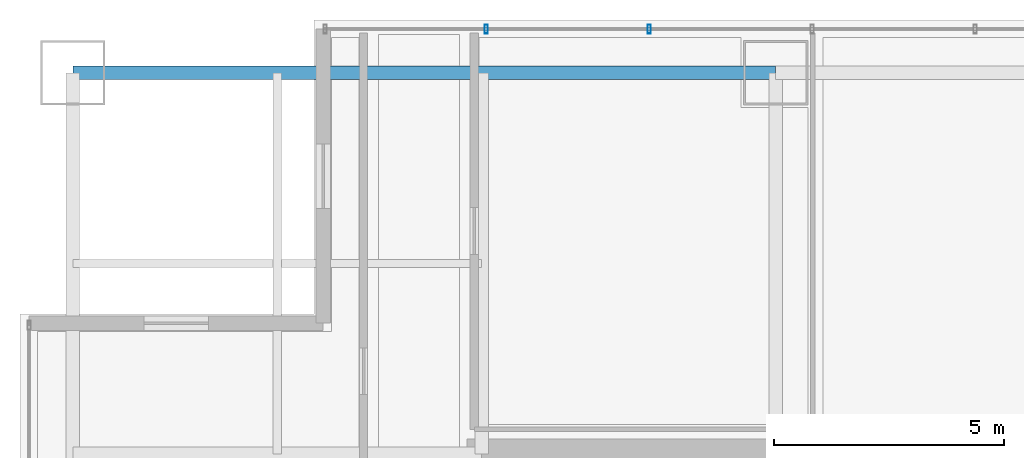
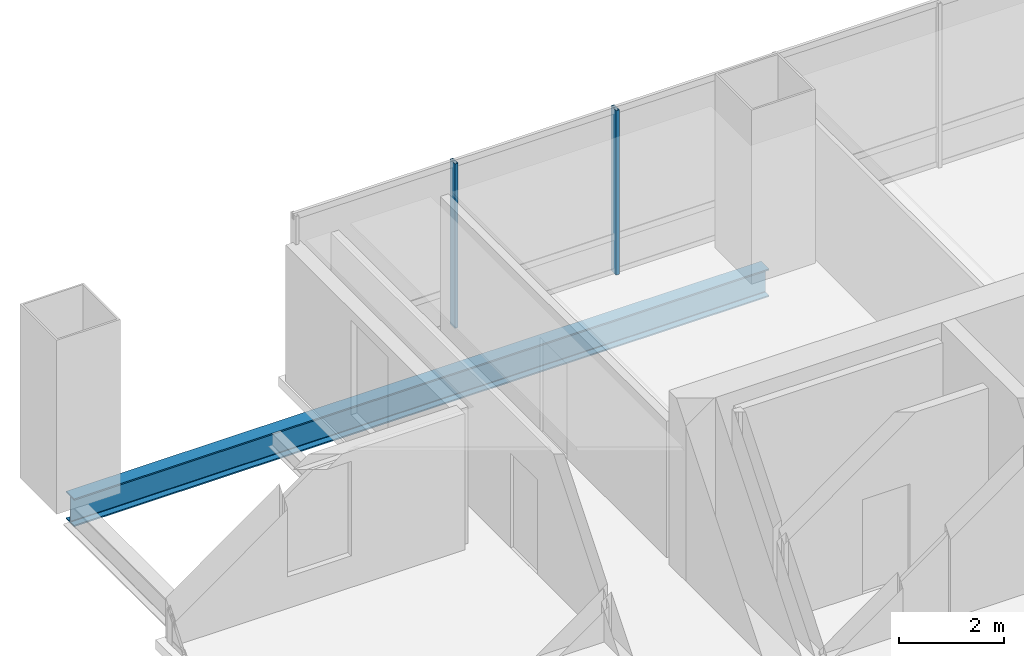
# One storey, part 22 of 37: 2 members, 1 beam, 1 element without a shape of its own.
"""IFC4 building model written with IfcOpenShell, lengths in metres."""

from ifc_helpers import new_model, si_unit, direction, frame, origin, origin_2d, place, context, subcontext, project, spatial, hollow_rectangle, i_section, extrude, material, material_profile, profile_set, type_object, element, aggregate, save


model = new_model("IFC4")

# Units and contexts
model_context = context("Model", 3, precision=1e-05, world=origin(), true_north=direction((0.0, 1.0)))
body_context = subcontext(model_context, "Body", "Model", "MODEL_VIEW")
ifc_project = project(units=[si_unit("LENGTHUNIT", "METRE"), si_unit("AREAUNIT", "SQUARE_METRE"), si_unit("VOLUMEUNIT", "CUBIC_METRE"), si_unit("PLANEANGLEUNIT", "RADIAN"), si_unit("MASSUNIT", "GRAM", prefix="KILO")], contexts=[model_context])

# Site, building, storey
site_placement = place(None, origin())
site = spatial("IfcSite", under=ifc_project, at=site_placement, CompositionType="ELEMENT")
building_placement = place(site_placement, origin())
building = spatial("IfcBuilding", under=site, at=building_placement, Name="Punatoya Terracotta Tower", CompositionType="ELEMENT")
storey_placement = place(building_placement, frame((0.0, 0.0, 224.85009765625)))
storey = spatial("IfcBuildingStorey", under=building, at=storey_placement, Name="L53", CompositionType="ELEMENT", Elevation=224.85009765625)

# Beam
ifc_material_1 = material(Name="Steel S355", Category="steel")
ifc_material_profile_1 = material_profile(ifc_material_1, i_section(OverallWidth=0.300048828125, OverallDepth=0.64990234375, WebThickness=0.01611328125, FlangeThickness=0.031005859375, FilletRadius=0.01806640625, at=origin_2d()))
ifc_profile_set_1 = profile_set([ifc_material_profile_1], Name="Steel S355")
beam_type = type_object("IfcBeamType", Name="BM-PRI-650", PredefinedType="BEAM", material=ifc_profile_set_1)
beam_placement = place(storey_placement, frame((-19.10009765625, 17.5, -0.545166015625), z_axis=(1.0, 0.0, 0.0), x_axis=(0.0, 1.0, 0.0)))
element("IfcBeam", 1, at=beam_placement, inside=storey, type_object=beam_type, Name="BM-L53-RG-N1", PredefinedType="BEAM", context=body_context, shape_type="SweptSolid", body=[
    extrude(i_section(OverallWidth=0.300048828125, OverallDepth=0.64990234375, WebThickness=0.01611328125, FlangeThickness=0.031005859375, FilletRadius=0.01806640625, at=origin_2d()), origin(), (0.0, 0.0, 1.0), 15.300048828125),
])

# Curtain wall, members
ifc_material_2 = material(Name="Aluminium 6063-T6 + Double Low-E Glass", Category="aluminium")
curtain_wall_type = type_object("IfcCurtainWallType", Name="CW-M2", PredefinedType="NOTDEFINED", material=ifc_material_2)
curtain_wall_placement = place(storey_placement, origin())
curtain_wall = element("IfcCurtainWall", 2, at=curtain_wall_placement, inside=storey, type_object=curtain_wall_type, Name="L53 Curtain Wall CW-L53-N08-1", PredefinedType="NOTDEFINED")
ifc_material_3 = material(Name="Aluminium 6063-T6", Category="aluminium")
ifc_material_profile_2 = material_profile(ifc_material_3, hollow_rectangle(XDim=0.072021484375, YDim=0.195068359375, WallThickness=0.00439453125, at=origin_2d()))
ifc_profile_set_2 = profile_set([ifc_material_profile_2], Name="Aluminium 6063-T6")
member_type = type_object("IfcMemberType", Name="CW-MUL-M2", PredefinedType="MULLION", material=ifc_profile_set_2)
member_1_placement = place(storey_placement, frame((-6.552490234375, 18.449951171875, 0.0), z_axis=(0.0, 0.0, 1.0), x_axis=(1.0, 0.0, 0.0)))
member_1 = element("IfcMember", 3, at=member_1_placement, type_object=member_type, Name="CW-L53-N08-1 Mullion 08", PredefinedType="MULLION", context=body_context, shape_type="SweptSolid", body=[
    extrude(hollow_rectangle(XDim=0.072021484375, YDim=0.195068359375, WallThickness=0.00439453125, at=origin_2d()), origin(), (0.0, 0.0, 1.0), 3.829833984375),
])
member_2_placement = place(storey_placement, frame((-10.101318359375, 18.449951171875, 0.0), z_axis=(0.0, 0.0, 1.0), x_axis=(1.0, 0.0, 0.0)))
member_2 = element("IfcMember", 4, at=member_2_placement, type_object=member_type, Name="CW-L53-N08-1 Mullion 09", PredefinedType="MULLION", context=body_context, shape_type="SweptSolid", body=[
    extrude(hollow_rectangle(XDim=0.072021484375, YDim=0.195068359375, WallThickness=0.00439453125, at=origin_2d()), origin(), (0.0, 0.0, 1.0), 3.829833984375),
])
aggregate(curtain_wall, [member_1, member_2])

save(model, "model.ifc")
